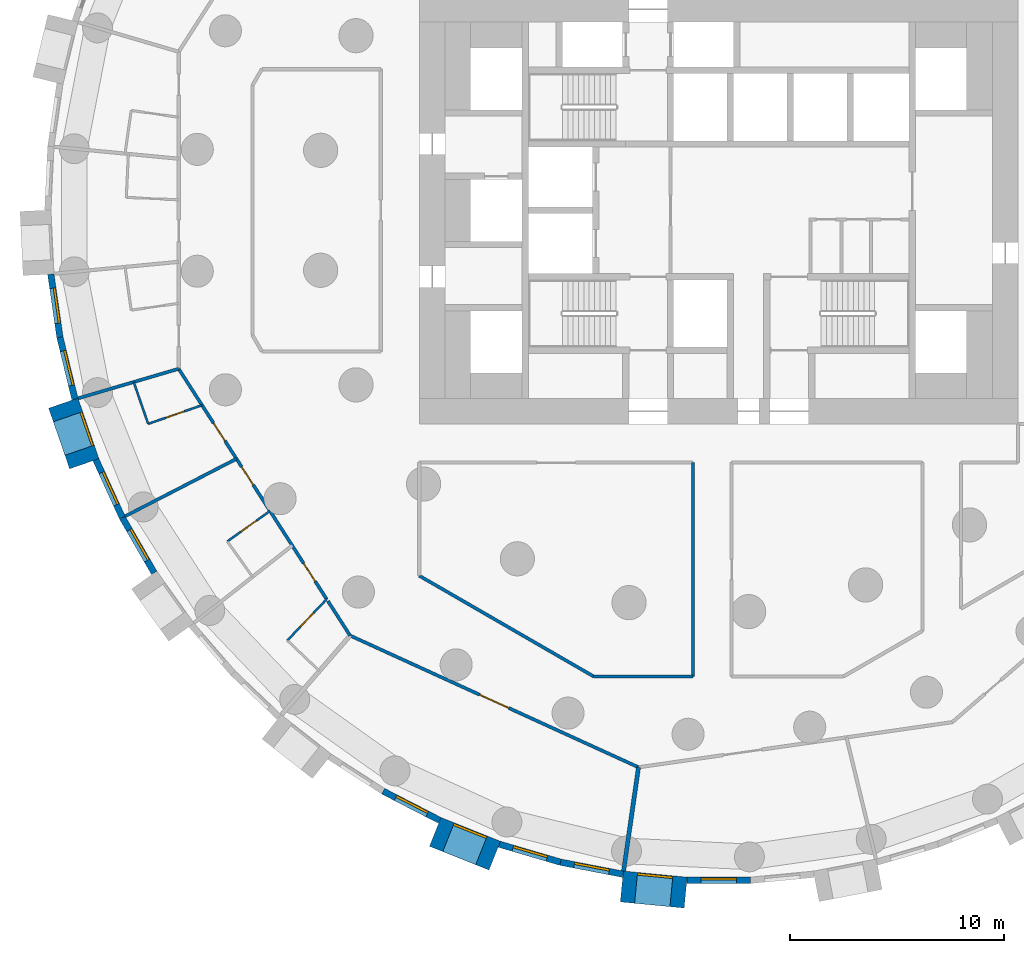
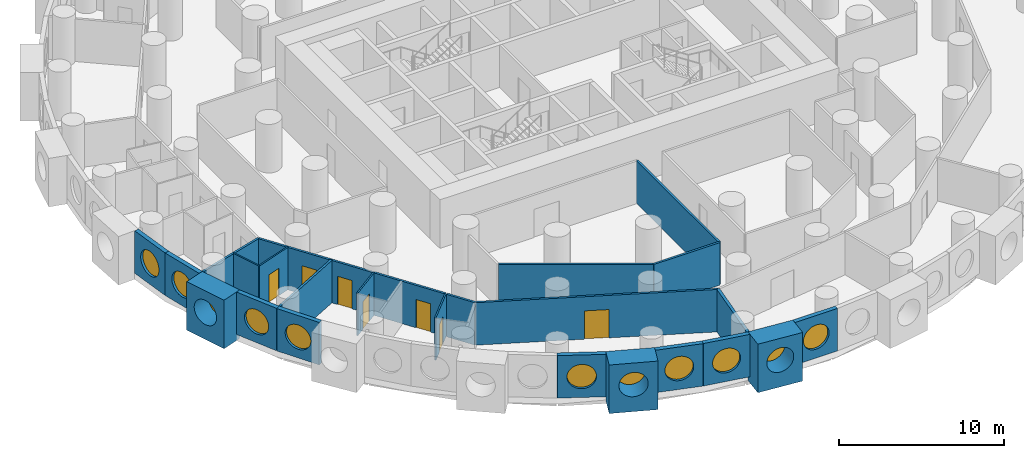
# One storey, part 3 of 12: 24 walls, 11 windows, 7 doors, 18 openings.
"""IFC4 building model written with IfcOpenShell, lengths in metres."""

from ifc_helpers import new_model, si_unit, direction, frame, frame_2d, origin, origin_2d, place, context, subcontext, project, spatial, rectangle, circle, extrude, material, layer, layer_set, type_object, element, fill, save


model = new_model("IFC4")

# Units and contexts
model_context = context("Model", 3, precision=1e-05, world=origin(), true_north=direction((0.0, 1.0)))
body_context = subcontext(model_context, "Body", "Model", "MODEL_VIEW")
ifc_project = project(units=[si_unit("LENGTHUNIT", "METRE"), si_unit("AREAUNIT", "SQUARE_METRE"), si_unit("VOLUMEUNIT", "CUBIC_METRE"), si_unit("PLANEANGLEUNIT", "RADIAN"), si_unit("MASSUNIT", "GRAM", prefix="KILO")], contexts=[model_context])

# Site, building, storey
site_placement = place(None, origin())
site = spatial("IfcSite", under=ifc_project, at=site_placement, CompositionType="ELEMENT")
building_placement = place(site_placement, origin())
building = spatial("IfcBuilding", under=site, at=building_placement, Name="Tracery Tower", CompositionType="ELEMENT")
storey_placement = place(building_placement, frame((0.0, 0.0, 31.800048828125)))
storey = spatial("IfcBuildingStorey", under=building, at=storey_placement, Name="L06", CompositionType="ELEMENT", Elevation=31.800048828125)

# Wall, opening, window
ifc_material_1 = material(Name="Precast concrete C50/60", Category="concrete")
ifc_layer_1 = layer(ifc_material_1, 1.449951171875)
ifc_layer_set_1 = layer_set([ifc_layer_1], Name="Deep-set bay unit 3000 x 3600, slab edge 450")
wall_type_1 = type_object("IfcWallType", Name="Deep-set bay unit 3000 x 3600, slab edge 450", PredefinedType="ELEMENTEDWALL", material=ifc_layer_set_1)
wall_1_placement = place(storey_placement, frame((-30.649169921875, -9.0205078125, -0.449951171875), z_axis=(0.0, 0.0, 1.0), x_axis=(0.327071431777, -0.944999618262, 0.0)))
wall_1 = element("IfcWall", 1, at=wall_1_placement, inside=storey, type_object=wall_type_1, Name="Deep-set bay unit 37 at L06", PredefinedType="ELEMENTEDWALL", context=body_context, shape_type="SweptSolid", body=[
    extrude(rectangle(XDim=3.0, YDim=1.449951171875, at=frame_2d((1.5, 0.0))), origin(), (0.0, 0.0, 1.0), 3.599853515625),
])
opening_1_placement = place(wall_1_placement, frame((1.5, 0.0, 2.0)))
opening_1 = element("IfcOpeningElement", 2, at=opening_1_placement, cuts=wall_1, Name="Opening WN1", PredefinedType="OPENING", context=body_context, shape_type="SweptSolid", body=[
    extrude(circle(Radius=0.9000244140625, at=origin_2d()), frame((0.0, 0.73486328125, 0.0), z_axis=(0.0, -1.0, 0.0), x_axis=(1.0, 0.0, 0.0)), (0.0, 0.0, 1.0), 1.469970703125),
])
ifc_material_2 = material(Name="Aluminium frame with tinted double glazing", Category="aluminium")
window_type = type_object("IfcWindowType", Name="Round window 1800", PartitioningType="SINGLE_PANEL", PredefinedType="WINDOW", material=ifc_material_2)
window_1_placement = place(opening_1_placement, origin())
window_1 = element("IfcWindow", 3, at=window_1_placement, inside=storey, type_object=window_type, Name="Round window 37 at L06", OverallHeight=1.800048828125, OverallWidth=1.800048828125, PartitioningType="SINGLE_PANEL", PredefinedType="WINDOW", context=body_context, shape_type="SweptSolid", body=[
    extrude(circle(Radius=0.9000244140625, at=origin_2d()), frame((0.0, 0.69482421875, 0.0), z_axis=(0.0, -1.0, 0.0), x_axis=(1.0, 0.0, 0.0)), (0.0, 0.0, 1.0), 0.10009765625),
])
fill(opening_1, window_1)

wall_2_placement = place(storey_placement, frame((-13.253662109375, -29.0703125, -0.449951171875), z_axis=(0.0, 0.0, 1.0), x_axis=(0.928358776184, -0.371685327504, 0.0)))
wall_2 = element("IfcWall", 4, at=wall_2_placement, inside=storey, type_object=wall_type_1, Name="Deep-set bay unit 46 at L06", PredefinedType="ELEMENTEDWALL", context=body_context, shape_type="SweptSolid", body=[
    extrude(rectangle(XDim=2.999755859375, YDim=1.449951171875, at=frame_2d((1.5, 0.0))), origin(), (0.0, 0.0, 1.0), 3.599853515625),
])
opening_2_placement = place(wall_2_placement, frame((1.5, 0.0, 2.0)))
opening_2 = element("IfcOpeningElement", 5, at=opening_2_placement, cuts=wall_2, Name="Opening WN1", PredefinedType="OPENING", context=body_context, shape_type="SweptSolid", body=[
    extrude(circle(Radius=0.9000244140625, at=origin_2d()), frame((0.0, 0.73486328125, 0.0), z_axis=(0.0, -1.0, 0.0), x_axis=(1.0, 0.0, 0.0)), (0.0, 0.0, 1.0), 1.469970703125),
])
window_2_placement = place(opening_2_placement, origin())
window_2 = element("IfcWindow", 6, at=window_2_placement, inside=storey, type_object=window_type, Name="Round window 46 at L06", OverallHeight=1.800048828125, OverallWidth=1.800048828125, PartitioningType="SINGLE_PANEL", PredefinedType="WINDOW", context=body_context, shape_type="SweptSolid", body=[
    extrude(circle(Radius=0.9000244140625, at=origin_2d()), frame((0.0, 0.69482421875, 0.0), z_axis=(0.0, -1.0, 0.0), x_axis=(1.0, 0.0, 0.0)), (0.0, 0.0, 1.0), 0.10009765625),
])
fill(opening_2, window_2)

wall_3_placement = place(storey_placement, frame((-4.52685546875, -31.626708984375, -0.449951171875), z_axis=(0.0, 0.0, 1.0), x_axis=(0.995472768558, -0.09504718333, 0.0)))
wall_3 = element("IfcWall", 7, at=wall_3_placement, inside=storey, type_object=wall_type_1, Name="Deep-set bay unit 49 at L06", PredefinedType="ELEMENTEDWALL", context=body_context, shape_type="SweptSolid", body=[
    extrude(rectangle(XDim=3.000244140625, YDim=1.449951171875, at=frame_2d((1.5, 0.0))), origin(), (0.0, 0.0, 1.0), 3.599853515625),
])
opening_3_placement = place(wall_3_placement, frame((1.5, 0.0, 2.0)))
opening_3 = element("IfcOpeningElement", 8, at=opening_3_placement, cuts=wall_3, Name="Opening WN1", PredefinedType="OPENING", context=body_context, shape_type="SweptSolid", body=[
    extrude(circle(Radius=0.9000244140625, at=origin_2d()), frame((0.0, 0.73486328125, 0.0), z_axis=(0.0, -1.0, 0.0), x_axis=(1.0, 0.0, 0.0)), (0.0, 0.0, 1.0), 1.469970703125),
])
window_3_placement = place(opening_3_placement, origin())
window_3 = element("IfcWindow", 9, at=window_3_placement, inside=storey, type_object=window_type, Name="Round window 49 at L06", OverallHeight=1.800048828125, OverallWidth=1.800048828125, PartitioningType="SINGLE_PANEL", PredefinedType="WINDOW", context=body_context, shape_type="SweptSolid", body=[
    extrude(circle(Radius=0.9000244140625, at=origin_2d()), frame((0.0, 0.69482421875, 0.0), z_axis=(0.0, -1.0, 0.0), x_axis=(1.0, 0.0, 0.0)), (0.0, 0.0, 1.0), 0.10009765625),
])
fill(opening_3, window_3)

ifc_material_3 = material(Name="Precast concrete C50/60", Category="concrete")
ifc_layer_2 = layer(ifc_material_3, 0.300048828125)
ifc_layer_set_2 = layer_set([ifc_layer_2], Name="Facade panel 3000 x 3150")
wall_type_2 = type_object("IfcWallType", Name="Facade panel 3000 x 3150", PredefinedType="SOLIDWALL", material=ifc_layer_set_2)
wall_4_placement = place(storey_placement, frame((-31.2314453125, -2.98828125, 0.0), z_axis=(0.0, 0.0, 1.0), x_axis=(0.142315996627, -0.989821275334, 0.0)))
wall_4 = element("IfcWall", 10, at=wall_4_placement, inside=storey, type_object=wall_type_2, Name="Facade panel 35 at L06", PredefinedType="SOLIDWALL", context=body_context, shape_type="SweptSolid", body=[
    extrude(rectangle(XDim=2.979736328125, YDim=0.300048828125, at=frame_2d((1.48974609375, 0.0))), origin(), (0.0, 0.0, 1.0), 3.14990234375),
])
opening_4_placement = place(wall_4_placement, frame((1.48974609375, 0.0, 1.5498046875)))
opening_4 = element("IfcOpeningElement", 11, at=opening_4_placement, cuts=wall_4, Name="Opening WN1", PredefinedType="OPENING", context=body_context, shape_type="SweptSolid", body=[
    extrude(circle(Radius=0.9000244140625, at=origin_2d()), frame((0.0, 0.159912109375, 0.0), z_axis=(0.0, -1.0, 0.0), x_axis=(1.0, 0.0, 0.0)), (0.0, 0.0, 1.0), 0.320068359375),
])
window_4_placement = place(opening_4_placement, origin())
window_4 = element("IfcWindow", 12, at=window_4_placement, inside=storey, type_object=window_type, Name="Round window 35 at L06", OverallHeight=1.800048828125, OverallWidth=1.800048828125, PartitioningType="SINGLE_PANEL", PredefinedType="WINDOW", context=body_context, shape_type="SweptSolid", body=[
    extrude(circle(Radius=0.9000244140625, at=origin_2d()), frame((0.0, 0.1201171875, 0.0), z_axis=(0.0, -1.0, 0.0), x_axis=(1.0, 0.0, 0.0)), (0.0, 0.0, 1.0), 0.10009765625),
])
fill(opening_4, window_4)

wall_5_placement = place(storey_placement, frame((-30.807373046875, -5.937744140625, 0.0), z_axis=(0.0, 0.0, 1.0), x_axis=(0.235743081534, -0.971815414319, 0.0)))
wall_5 = element("IfcWall", 13, at=wall_5_placement, inside=storey, type_object=wall_type_2, Name="Facade panel 36 at L06", PredefinedType="SOLIDWALL", context=body_context, shape_type="SweptSolid", body=[
    extrude(rectangle(XDim=2.9794921875, YDim=0.300048828125, at=frame_2d((1.48974609375, 0.0))), origin(), (0.0, 0.0, 1.0), 3.14990234375),
])
opening_5_placement = place(wall_5_placement, frame((1.48974609375, 0.0, 1.5498046875)))
opening_5 = element("IfcOpeningElement", 14, at=opening_5_placement, cuts=wall_5, Name="Opening WN1", PredefinedType="OPENING", context=body_context, shape_type="SweptSolid", body=[
    extrude(circle(Radius=0.9000244140625, at=origin_2d()), frame((0.0, 0.159912109375, 0.0), z_axis=(0.0, -1.0, 0.0), x_axis=(1.0, 0.0, 0.0)), (0.0, 0.0, 1.0), 0.320068359375),
])
window_5_placement = place(opening_5_placement, origin())
window_5 = element("IfcWindow", 15, at=window_5_placement, inside=storey, type_object=window_type, Name="Round window 36 at L06", OverallHeight=1.800048828125, OverallWidth=1.800048828125, PartitioningType="SINGLE_PANEL", PredefinedType="WINDOW", context=body_context, shape_type="SweptSolid", body=[
    extrude(circle(Radius=0.9000244140625, at=origin_2d()), frame((0.0, 0.1201171875, 0.0), z_axis=(0.0, -1.0, 0.0), x_axis=(1.0, 0.0, 0.0)), (0.0, 0.0, 1.0), 0.10009765625),
])
fill(opening_5, window_5)

wall_6_placement = place(storey_placement, frame((-29.12451171875, -11.666259765625, 0.0), z_axis=(0.0, 0.0, 1.0), x_axis=(0.415407317162, -0.909635509888, 0.0)))
wall_6 = element("IfcWall", 16, at=wall_6_placement, inside=storey, type_object=wall_type_2, Name="Facade panel 38 at L06", PredefinedType="SOLIDWALL", context=body_context, shape_type="SweptSolid", body=[
    extrude(rectangle(XDim=2.979736328125, YDim=0.300048828125, at=frame_2d((1.48974609375, 0.0))), origin(), (0.0, 0.0, 1.0), 3.14990234375),
])
opening_6_placement = place(wall_6_placement, frame((1.48974609375, 0.0, 1.5498046875)))
opening_6 = element("IfcOpeningElement", 17, at=opening_6_placement, cuts=wall_6, Name="Opening WN1", PredefinedType="OPENING", context=body_context, shape_type="SweptSolid", body=[
    extrude(circle(Radius=0.9000244140625, at=origin_2d()), frame((0.0, 0.159912109375, 0.0), z_axis=(0.0, -1.0, 0.0), x_axis=(1.0, 0.0, 0.0)), (0.0, 0.0, 1.0), 0.320068359375),
])
window_6_placement = place(opening_6_placement, origin())
window_6 = element("IfcWindow", 18, at=window_6_placement, inside=storey, type_object=window_type, Name="Round window 38 at L06", OverallHeight=1.800048828125, OverallWidth=1.800048828125, PartitioningType="SINGLE_PANEL", PredefinedType="WINDOW", context=body_context, shape_type="SweptSolid", body=[
    extrude(circle(Radius=0.9000244140625, at=origin_2d()), frame((0.0, 0.1201171875, 0.0), z_axis=(0.0, -1.0, 0.0), x_axis=(1.0, 0.0, 0.0)), (0.0, 0.0, 1.0), 0.10009765625),
])
fill(opening_6, window_6)

wall_7_placement = place(storey_placement, frame((-27.88671875, -14.376708984375, 0.0), z_axis=(0.0, 0.0, 1.0), x_axis=(0.499999078476, -0.866025935826, 0.0)))
wall_7 = element("IfcWall", 19, at=wall_7_placement, inside=storey, type_object=wall_type_2, Name="Facade panel 39 at L06", PredefinedType="SOLIDWALL", context=body_context, shape_type="SweptSolid", body=[
    extrude(rectangle(XDim=2.9794921875, YDim=0.300048828125, at=frame_2d((1.48974609375, 0.0))), origin(), (0.0, 0.0, 1.0), 3.14990234375),
])
opening_7_placement = place(wall_7_placement, frame((1.48974609375, 0.0, 1.5498046875)))
opening_7 = element("IfcOpeningElement", 20, at=opening_7_placement, cuts=wall_7, Name="Opening WN1", PredefinedType="OPENING", context=body_context, shape_type="SweptSolid", body=[
    extrude(circle(Radius=0.9000244140625, at=origin_2d()), frame((0.0, 0.159912109375, 0.0), z_axis=(0.0, -1.0, 0.0), x_axis=(1.0, 0.0, 0.0)), (0.0, 0.0, 1.0), 0.320068359375),
])
window_7_placement = place(opening_7_placement, origin())
window_7 = element("IfcWindow", 21, at=window_7_placement, inside=storey, type_object=window_type, Name="Round window 39 at L06", OverallHeight=1.800048828125, OverallWidth=1.800048828125, PartitioningType="SINGLE_PANEL", PredefinedType="WINDOW", context=body_context, shape_type="SweptSolid", body=[
    extrude(circle(Radius=0.9000244140625, at=origin_2d()), frame((0.0, 0.1201171875, 0.0), z_axis=(0.0, -1.0, 0.0), x_axis=(1.0, 0.0, 0.0)), (0.0, 0.0, 1.0), 0.10009765625),
])
fill(opening_7, window_7)

wall_8_placement = place(storey_placement, frame((-15.687255859375, -27.171142578125, 0.0), z_axis=(0.0, 0.0, 1.0), x_axis=(0.888853225096, -0.4581920386, 0.0)))
wall_8 = element("IfcWall", 22, at=wall_8_placement, inside=storey, type_object=wall_type_2, Name="Facade panel 45 at L06", PredefinedType="SOLIDWALL", context=body_context, shape_type="SweptSolid", body=[
    extrude(rectangle(XDim=2.9794921875, YDim=0.300048828125, at=frame_2d((1.48974609375, 0.0))), origin(), (0.0, 0.0, 1.0), 3.14990234375),
])
opening_8_placement = place(wall_8_placement, frame((1.48974609375, 0.0, 1.5498046875)))
opening_8 = element("IfcOpeningElement", 23, at=opening_8_placement, cuts=wall_8, Name="Opening WN1", PredefinedType="OPENING", context=body_context, shape_type="SweptSolid", body=[
    extrude(circle(Radius=0.9000244140625, at=origin_2d()), frame((0.0, 0.159912109375, 0.0), z_axis=(0.0, -1.0, 0.0), x_axis=(1.0, 0.0, 0.0)), (0.0, 0.0, 1.0), 0.320068359375),
])
window_8_placement = place(opening_8_placement, origin())
window_8 = element("IfcWindow", 24, at=window_8_placement, inside=storey, type_object=window_type, Name="Round window 45 at L06", OverallHeight=1.800048828125, OverallWidth=1.800048828125, PartitioningType="SINGLE_PANEL", PredefinedType="WINDOW", context=body_context, shape_type="SweptSolid", body=[
    extrude(circle(Radius=0.9000244140625, at=origin_2d()), frame((0.0, 0.1201171875, 0.0), z_axis=(0.0, -1.0, 0.0), x_axis=(1.0, 0.0, 0.0)), (0.0, 0.0, 1.0), 0.10009765625),
])
fill(opening_8, window_8)

wall_9_placement = place(storey_placement, frame((-10.255859375, -29.650634765625, 0.0), z_axis=(0.0, 0.0, 1.0), x_axis=(0.959507586834, -0.28168278401, 0.0)))
wall_9 = element("IfcWall", 25, at=wall_9_placement, inside=storey, type_object=wall_type_2, Name="Facade panel 47 at L06", PredefinedType="SOLIDWALL", context=body_context, shape_type="SweptSolid", body=[
    extrude(rectangle(XDim=2.979736328125, YDim=0.300048828125, at=frame_2d((1.48974609375, 0.0))), origin(), (0.0, 0.0, 1.0), 3.14990234375),
])
opening_9_placement = place(wall_9_placement, frame((1.48974609375, 0.0, 1.5498046875)))
opening_9 = element("IfcOpeningElement", 26, at=opening_9_placement, cuts=wall_9, Name="Opening WN1", PredefinedType="OPENING", context=body_context, shape_type="SweptSolid", body=[
    extrude(circle(Radius=0.9000244140625, at=origin_2d()), frame((0.0, 0.159912109375, 0.0), z_axis=(0.0, -1.0, 0.0), x_axis=(1.0, 0.0, 0.0)), (0.0, 0.0, 1.0), 0.320068359375),
])
window_9_placement = place(opening_9_placement, origin())
window_9 = element("IfcWindow", 27, at=window_9_placement, inside=storey, type_object=window_type, Name="Round window 47 at L06", OverallHeight=1.800048828125, OverallWidth=1.800048828125, PartitioningType="SINGLE_PANEL", PredefinedType="WINDOW", context=body_context, shape_type="SweptSolid", body=[
    extrude(circle(Radius=0.9000244140625, at=origin_2d()), frame((0.0, 0.1201171875, 0.0), z_axis=(0.0, -1.0, 0.0), x_axis=(1.0, 0.0, 0.0)), (0.0, 0.0, 1.0), 0.10009765625),
])
fill(opening_9, window_9)

wall_10_placement = place(storey_placement, frame((-7.396728515625, -30.489990234375, 0.0), z_axis=(0.0, 0.0, 1.0), x_axis=(0.981924535406, -0.189272836848, 0.0)))
wall_10 = element("IfcWall", 28, at=wall_10_placement, inside=storey, type_object=wall_type_2, Name="Facade panel 48 at L06", PredefinedType="SOLIDWALL", context=body_context, shape_type="SweptSolid", body=[
    extrude(rectangle(XDim=2.979736328125, YDim=0.300048828125, at=frame_2d((1.48974609375, 0.0))), origin(), (0.0, 0.0, 1.0), 3.14990234375),
])
opening_10_placement = place(wall_10_placement, frame((1.48974609375, 0.0, 1.5498046875)))
opening_10 = element("IfcOpeningElement", 29, at=opening_10_placement, cuts=wall_10, Name="Opening WN1", PredefinedType="OPENING", context=body_context, shape_type="SweptSolid", body=[
    extrude(circle(Radius=0.9000244140625, at=origin_2d()), frame((0.0, 0.159912109375, 0.0), z_axis=(0.0, -1.0, 0.0), x_axis=(1.0, 0.0, 0.0)), (0.0, 0.0, 1.0), 0.320068359375),
])
window_10_placement = place(opening_10_placement, origin())
window_10 = element("IfcWindow", 30, at=window_10_placement, inside=storey, type_object=window_type, Name="Round window 48 at L06", OverallHeight=1.800048828125, OverallWidth=1.800048828125, PartitioningType="SINGLE_PANEL", PredefinedType="WINDOW", context=body_context, shape_type="SweptSolid", body=[
    extrude(circle(Radius=0.9000244140625, at=origin_2d()), frame((0.0, 0.1201171875, 0.0), z_axis=(0.0, -1.0, 0.0), x_axis=(1.0, 0.0, 0.0)), (0.0, 0.0, 1.0), 0.10009765625),
])
fill(opening_10, window_10)

wall_11_placement = place(storey_placement, frame((-1.48681640625, -31.3388671875, 0.0), z_axis=(0.0, 0.0, 1.0), x_axis=(1.0, 0.0, 0.0)))
wall_11 = element("IfcWall", 31, at=wall_11_placement, inside=storey, type_object=wall_type_2, Name="Facade panel 50 at L06", PredefinedType="SOLIDWALL", context=body_context, shape_type="SweptSolid", body=[
    extrude(rectangle(XDim=2.979736328125, YDim=0.300048828125, at=frame_2d((1.48974609375, 0.0))), origin(), (0.0, 0.0, 1.0), 3.14990234375),
])
opening_11_placement = place(wall_11_placement, frame((1.48974609375, 0.0, 1.5498046875)))
opening_11 = element("IfcOpeningElement", 32, at=opening_11_placement, cuts=wall_11, Name="Opening WN1", PredefinedType="OPENING", context=body_context, shape_type="SweptSolid", body=[
    extrude(circle(Radius=0.9000244140625, at=origin_2d()), frame((0.0, 0.159912109375, 0.0), z_axis=(0.0, -1.0, 0.0), x_axis=(1.0, 0.0, 0.0)), (0.0, 0.0, 1.0), 0.320068359375),
])
window_11_placement = place(opening_11_placement, origin())
window_11 = element("IfcWindow", 33, at=window_11_placement, inside=storey, type_object=window_type, Name="Round window 50 at L06", OverallHeight=1.800048828125, OverallWidth=1.800048828125, PartitioningType="SINGLE_PANEL", PredefinedType="WINDOW", context=body_context, shape_type="SweptSolid", body=[
    extrude(circle(Radius=0.9000244140625, at=origin_2d()), frame((0.0, 0.1201171875, 0.0), z_axis=(0.0, -1.0, 0.0), x_axis=(1.0, 0.0, 0.0)), (0.0, 0.0, 1.0), 0.10009765625),
])
fill(opening_11, window_11)

# Wall
ifc_material_4 = material(Name="Plasterboard on steel studs", Category="steel")
ifc_layer_3 = layer(ifc_material_4, 0.10009765625)
ifc_layer_set_3 = layer_set([ifc_layer_3], Name="Partition 100 wet wall")
wall_type_3 = type_object("IfcWallType", Name="Partition 100 wet wall", PredefinedType="PARTITIONING", material=ifc_layer_set_3)
wall_12_placement = place(storey_placement, frame((-27.35595703125, -8.031982421875, 0.0), z_axis=(0.0, 0.0, 1.0), x_axis=(0.326924291943, -0.945050531632, 0.0)))
element("IfcWall", 34, at=wall_12_placement, inside=storey, type_object=wall_type_3, Name="Wet wall RA1-103", PredefinedType="PARTITIONING", context=body_context, shape_type="SweptSolid", body=[
    extrude(rectangle(XDim=2.07080078125, YDim=0.10009765625, at=frame_2d((1.035400390625, 0.0))), origin(), (0.0, 0.0, 1.0), 3.14990234375),
])

# Wall, opening, door
wall_13_placement = place(storey_placement, frame((-26.678955078125, -9.989013671875, 0.0), z_axis=(0.0, 0.0, 1.0), x_axis=(0.945014370431, 0.327028805578, 0.0)))
wall_13 = element("IfcWall", 35, at=wall_13_placement, inside=storey, type_object=wall_type_3, Name="Wet wall RA1-104", PredefinedType="PARTITIONING", context=body_context, shape_type="SweptSolid", body=[
    extrude(rectangle(XDim=2.666748046875, YDim=0.10009765625, at=frame_2d((1.33349609375, 0.0))), origin(), (0.0, 0.0, 1.0), 3.14990234375),
])
opening_12_placement = place(wall_13_placement, frame((0.883056640625, 0.0, 0.0)))
opening_12 = element("IfcOpeningElement", 36, at=opening_12_placement, cuts=wall_13, Name="Opening RA1-39", PredefinedType="OPENING", context=body_context, shape_type="SweptSolid", body=[
    extrude(rectangle(XDim=0.89990234375, YDim=2.0400390625, at=frame_2d((0.449951171875, 1.02001953125))), frame((0.0, 0.050048828125, 0.0), z_axis=(0.0, -1.0, 0.0), x_axis=(1.0, 0.0, 0.0)), (0.0, 0.0, 1.0), 0.10009765625),
])
ifc_material_5 = material(Name="Timber door leaf", Category="wood")
door_type_1 = type_object("IfcDoorType", Name="Door en-suite 900", OperationType="NOTDEFINED", PredefinedType="DOOR", material=ifc_material_5)
door_1_placement = place(opening_12_placement, origin())
door_1 = element("IfcDoor", 37, at=door_1_placement, inside=storey, type_object=door_type_1, Name="En-suite door RA1-39", OperationType="SINGLE_SWING_LEFT", OverallHeight=2.0400390625, OverallWidth=0.89990234375, PredefinedType="DOOR", context=body_context, shape_type="SweptSolid", body=[
    extrude(rectangle(XDim=0.89990234375, YDim=2.0400390625, at=frame_2d((0.449951171875, 1.02001953125))), frame((0.0, 0.02490234375, 0.0), z_axis=(0.0, -1.0, 0.0), x_axis=(1.0, 0.0, 0.0)), (0.0, 0.0, 1.0), 0.050048828125),
])
fill(opening_12, door_1)

wall_14_placement = place(storey_placement, frame((-22.97802734375, -15.486083984375, 0.0), z_axis=(0.0, 0.0, 1.0), x_axis=(0.814519517834, 0.580136152181, 0.0)))
wall_14 = element("IfcWall", 38, at=wall_14_placement, inside=storey, type_object=wall_type_3, Name="Wet wall RA1-106", PredefinedType="PARTITIONING", context=body_context, shape_type="SweptSolid", body=[
    extrude(rectangle(XDim=2.453125, YDim=0.10009765625, at=frame_2d((1.2265625, 0.0))), origin(), (0.0, 0.0, 1.0), 3.14990234375),
])
opening_13_placement = place(wall_14_placement, frame((0.77685546875, 0.0, 0.0)))
opening_13 = element("IfcOpeningElement", 39, at=opening_13_placement, cuts=wall_14, Name="Opening RA1-41", PredefinedType="OPENING", context=body_context, shape_type="SweptSolid", body=[
    extrude(rectangle(XDim=0.89990234375, YDim=2.0400390625, at=frame_2d((0.449951171875, 1.02001953125))), frame((0.0, 0.050048828125, 0.0), z_axis=(0.0, -1.0, 0.0), x_axis=(1.0, 0.0, 0.0)), (0.0, 0.0, 1.0), 0.10009765625),
])
door_2_placement = place(opening_13_placement, origin())
door_2 = element("IfcDoor", 40, at=door_2_placement, inside=storey, type_object=door_type_1, Name="En-suite door RA1-41", OperationType="SINGLE_SWING_LEFT", OverallHeight=2.0400390625, OverallWidth=0.89990234375, PredefinedType="DOOR", context=body_context, shape_type="SweptSolid", body=[
    extrude(rectangle(XDim=0.89990234375, YDim=2.0400390625, at=frame_2d((0.449951171875, 1.02001953125))), frame((0.0, 0.02490234375, 0.0), z_axis=(0.0, -1.0, 0.0), x_axis=(1.0, 0.0, 0.0)), (0.0, 0.0, 1.0), 0.050048828125),
])
fill(opening_13, door_2)

wall_15_placement = place(storey_placement, frame((-20.1689453125, -20.117919921875, 0.0), z_axis=(0.0, 0.0, 1.0), x_axis=(0.690011756227, 0.723798159896, 0.0)))
wall_15 = element("IfcWall", 41, at=wall_15_placement, inside=storey, type_object=wall_type_3, Name="Wet wall RA1-109", PredefinedType="PARTITIONING", context=body_context, shape_type="SweptSolid", body=[
    extrude(rectangle(XDim=2.66650390625, YDim=0.10009765625, at=frame_2d((1.333251953125, 0.0))), origin(), (0.0, 0.0, 1.0), 3.14990234375),
])
opening_14_placement = place(wall_15_placement, frame((0.883544921875, 0.0, 0.0)))
opening_14 = element("IfcOpeningElement", 42, at=opening_14_placement, cuts=wall_15, Name="Opening RA1-43", PredefinedType="OPENING", context=body_context, shape_type="SweptSolid", body=[
    extrude(rectangle(XDim=0.89990234375, YDim=2.0400390625, at=frame_2d((0.449951171875, 1.02001953125))), frame((0.0, 0.050048828125, 0.0), z_axis=(0.0, -1.0, 0.0), x_axis=(1.0, 0.0, 0.0)), (0.0, 0.0, 1.0), 0.10009765625),
])
door_3_placement = place(opening_14_placement, origin())
door_3 = element("IfcDoor", 43, at=door_3_placement, inside=storey, type_object=door_type_1, Name="En-suite door RA1-43", OperationType="SINGLE_SWING_LEFT", OverallHeight=2.0400390625, OverallWidth=0.89990234375, PredefinedType="DOOR", context=body_context, shape_type="SweptSolid", body=[
    extrude(rectangle(XDim=0.89990234375, YDim=2.0400390625, at=frame_2d((0.449951171875, 1.02001953125))), frame((0.0, 0.02490234375, 0.0), z_axis=(0.0, -1.0, 0.0), x_axis=(1.0, 0.0, 0.0)), (0.0, 0.0, 1.0), 0.050048828125),
])
fill(opening_14, door_3)

# Walls
ifc_material_6 = material(Name="Plasterboard on steel studs", Category="steel")
ifc_layer_4 = layer(ifc_material_6, 0.14990234375)
ifc_layer_set_4 = layer_set([ifc_layer_4], Name="Partition 150 acoustic unit wall")
wall_type_4 = type_object("IfcWallType", Name="Partition 150 acoustic unit wall", PredefinedType="PARTITIONING", material=ifc_layer_set_4)
wall_16_placement = place(storey_placement, frame((-29.958984375, -8.797119140625, 0.0), z_axis=(0.0, 0.0, 1.0), x_axis=(0.959434430266, 0.281931860598, 0.0)))
element("IfcWall", 44, at=wall_16_placement, inside=storey, type_object=wall_type_4, Name="Unit wall RA1-102", PredefinedType="PARTITIONING", context=body_context, shape_type="SweptSolid", body=[
    extrude(rectangle(XDim=4.90478515625, YDim=0.14990234375, at=frame_2d((2.452392578125, 0.0))), origin(), (0.0, 0.0, 1.0), 3.14990234375),
])
wall_17_placement = place(storey_placement, frame((-27.7529296875, -14.30810546875, 0.0), z_axis=(0.0, 0.0, 1.0), x_axis=(0.88877955153, 0.45833493079, 0.0)))
element("IfcWall", 45, at=wall_17_placement, inside=storey, type_object=wall_type_4, Name="Unit wall RA1-105", PredefinedType="PARTITIONING", context=body_context, shape_type="SweptSolid", body=[
    extrude(rectangle(XDim=5.856201171875, YDim=0.14990234375, at=frame_2d((2.92822265625, 0.0))), origin(), (0.0, 0.0, 1.0), 3.14990234375),
])

# Wall, openings, doors
ifc_material_7 = material(Name="Plasterboard on steel studs", Category="steel")
ifc_layer_5 = layer(ifc_material_7, 0.14990234375)
ifc_layer_set_5 = layer_set([ifc_layer_5], Name="Partition 150 corridor wall")
wall_type_5 = type_object("IfcWallType", Name="Partition 150 corridor wall", PredefinedType="PARTITIONING", material=ifc_layer_set_5)
wall_18_placement = place(storey_placement, frame((-25.252197265625, -7.41455078125, 0.0), z_axis=(0.0, 0.0, 1.0), x_axis=(0.540498462047, -0.84134500208, 0.0)))
wall_18 = element("IfcWall", 46, at=wall_18_placement, inside=storey, type_object=wall_type_5, Name="Corridor wall RA1-045", PredefinedType="PARTITIONING", context=body_context, shape_type="SweptSolid", body=[
    extrude(rectangle(XDim=12.810546875, YDim=0.14990234375, at=frame_2d((6.4052734375, 0.0))), origin(), (0.0, 0.0, 1.0), 3.14990234375),
])
opening_15_placement = place(wall_18_placement, frame((3.012939453125, 0.0, 0.0)))
opening_15 = element("IfcOpeningElement", 47, at=opening_15_placement, cuts=wall_18, Name="Opening RA1-40", PredefinedType="OPENING", context=body_context, shape_type="SweptSolid", body=[
    extrude(rectangle(XDim=1.0, YDim=2.10009765625, at=frame_2d((0.5, 1.050048828125))), frame((0.0, 0.074951171875, 0.0), z_axis=(0.0, -1.0, 0.0), x_axis=(1.0, 0.0, 0.0)), (0.0, 0.0, 1.0), 0.14990234375),
])
opening_16_placement = place(wall_18_placement, frame((5.452392578125, 0.0, 0.0)))
opening_16 = element("IfcOpeningElement", 48, at=opening_16_placement, cuts=wall_18, Name="Opening RA1-42", PredefinedType="OPENING", context=body_context, shape_type="SweptSolid", body=[
    extrude(rectangle(XDim=1.0, YDim=2.10009765625, at=frame_2d((0.5, 1.050048828125))), frame((0.0, 0.074951171875, 0.0), z_axis=(0.0, -1.0, 0.0), x_axis=(1.0, 0.0, 0.0)), (0.0, 0.0, 1.0), 0.14990234375),
])
opening_17_placement = place(wall_18_placement, frame((10.816650390625, 0.0, 0.0)))
opening_17 = element("IfcOpeningElement", 49, at=opening_17_placement, cuts=wall_18, Name="Opening RA1-44", PredefinedType="OPENING", context=body_context, shape_type="SweptSolid", body=[
    extrude(rectangle(XDim=1.0, YDim=2.10009765625, at=frame_2d((0.5, 1.050048828125))), frame((0.0, 0.074951171875, 0.0), z_axis=(0.0, -1.0, 0.0), x_axis=(1.0, 0.0, 0.0)), (0.0, 0.0, 1.0), 0.14990234375),
])
ifc_material_8 = material(Name="Timber door leaf", Category="wood")
door_type_2 = type_object("IfcDoorType", Name="Door unit entrance 1000", OperationType="NOTDEFINED", PredefinedType="DOOR", material=ifc_material_8)
door_4_placement = place(opening_15_placement, origin())
door_4 = element("IfcDoor", 50, at=door_4_placement, inside=storey, type_object=door_type_2, Name="Unit entrance door RA1-40", OperationType="SINGLE_SWING_LEFT", OverallHeight=2.10009765625, OverallWidth=1.0, PredefinedType="DOOR", context=body_context, shape_type="SweptSolid", body=[
    extrude(rectangle(XDim=1.0, YDim=2.10009765625, at=frame_2d((0.5, 1.050048828125))), frame((0.0, 0.02490234375, 0.0), z_axis=(0.0, -1.0, 0.0), x_axis=(1.0, 0.0, 0.0)), (0.0, 0.0, 1.0), 0.050048828125),
])
fill(opening_15, door_4)
door_5_placement = place(opening_16_placement, origin())
door_5 = element("IfcDoor", 51, at=door_5_placement, inside=storey, type_object=door_type_2, Name="Unit entrance door RA1-42", OperationType="SINGLE_SWING_RIGHT", OverallHeight=2.10009765625, OverallWidth=1.0, PredefinedType="DOOR", context=body_context, shape_type="SweptSolid", body=[
    extrude(rectangle(XDim=1.0, YDim=2.10009765625, at=frame_2d((0.5, 1.050048828125))), frame((0.0, 0.02490234375, 0.0), z_axis=(0.0, -1.0, 0.0), x_axis=(1.0, 0.0, 0.0)), (0.0, 0.0, 1.0), 0.050048828125),
])
fill(opening_16, door_5)
door_6_placement = place(opening_17_placement, origin())
door_6 = element("IfcDoor", 52, at=door_6_placement, inside=storey, type_object=door_type_2, Name="Unit entrance door RA1-44", OperationType="SINGLE_SWING_LEFT", OverallHeight=2.10009765625, OverallWidth=1.0, PredefinedType="DOOR", context=body_context, shape_type="SweptSolid", body=[
    extrude(rectangle(XDim=1.0, YDim=2.10009765625, at=frame_2d((0.5, 1.050048828125))), frame((0.0, 0.02490234375, 0.0), z_axis=(0.0, -1.0, 0.0), x_axis=(1.0, 0.0, 0.0)), (0.0, 0.0, 1.0), 0.050048828125),
])
fill(opening_17, door_6)

# Walls
wall_19_placement = place(storey_placement, frame((-14.0, -17.092041015625, 0.0), z_axis=(0.0, 0.0, 1.0), x_axis=(0.86602719091, -0.499996904595, 0.0)))
element("IfcWall", 53, at=wall_19_placement, inside=storey, type_object=wall_type_5, Name="Corridor wall RA1-046", PredefinedType="PARTITIONING", context=body_context, shape_type="SweptSolid", body=[
    extrude(rectangle(XDim=9.419921875, YDim=0.14990234375, at=frame_2d((4.7099609375, 0.0))), origin(), (0.0, 0.0, 1.0), 3.14990234375),
])
wall_20_placement = place(storey_placement, frame((-5.842041015625, -21.802001953125, 0.0), z_axis=(0.0, 0.0, 1.0), x_axis=(1.0, 0.0, 0.0)))
element("IfcWall", 54, at=wall_20_placement, inside=storey, type_object=wall_type_5, Name="Corridor wall RA1-047", PredefinedType="PARTITIONING", context=body_context, shape_type="SweptSolid", body=[
    extrude(rectangle(XDim=4.650146484375, YDim=0.14990234375, at=frame_2d((2.3251953125, 0.0))), origin(), (0.0, 0.0, 1.0), 3.14990234375),
])
wall_21_placement = place(storey_placement, frame((-1.19189453125, -21.802001953125, 0.0), z_axis=(0.0, 0.0, 1.0), x_axis=(0.0, 1.0, 0.0)))
element("IfcWall", 55, at=wall_21_placement, inside=storey, type_object=wall_type_5, Name="Corridor wall RA1-048", PredefinedType="PARTITIONING", context=body_context, shape_type="SweptSolid", body=[
    extrude(rectangle(XDim=10.001953125, YDim=0.14990234375, at=frame_2d((5.0009765625, 0.0))), origin(), (0.0, 0.0, 1.0), 3.14990234375),
])
wall_22_placement = place(storey_placement, frame((-18.27392578125, -18.27392578125, 0.0), z_axis=(0.0, 0.0, 1.0), x_axis=(0.540751168176, -0.841182604502, 0.0)))
element("IfcWall", 56, at=wall_22_placement, inside=storey, type_object=wall_type_5, Name="Corridor wall RA1-055", PredefinedType="PARTITIONING", context=body_context, shape_type="SweptSolid", body=[
    extrude(rectangle(XDim=1.921142578125, YDim=0.14990234375, at=frame_2d((0.96044921875, 0.0))), origin(), (0.0, 0.0, 1.0), 3.14990234375),
])

# Wall, opening, door
wall_23_placement = place(storey_placement, frame((-17.235107421875, -19.889892578125, 0.0), z_axis=(0.0, 0.0, 1.0), x_axis=(0.90960889055, -0.415465601743, 0.0)))
wall_23 = element("IfcWall", 57, at=wall_23_placement, inside=storey, type_object=wall_type_5, Name="Corridor wall RA1-056", PredefinedType="PARTITIONING", context=body_context, shape_type="SweptSolid", body=[
    extrude(rectangle(XDim=14.829345703125, YDim=0.14990234375, at=frame_2d((7.41455078125, 0.0))), origin(), (0.0, 0.0, 1.0), 3.14990234375),
])
opening_18_placement = place(wall_23_placement, frame((6.664306640625, 0.0, 0.0)))
opening_18 = element("IfcOpeningElement", 58, at=opening_18_placement, cuts=wall_23, Name="Opening RA1-45", PredefinedType="OPENING", context=body_context, shape_type="SweptSolid", body=[
    extrude(rectangle(XDim=1.5, YDim=2.10009765625, at=frame_2d((0.75, 1.050048828125))), frame((0.0, 0.074951171875, 0.0), z_axis=(0.0, -1.0, 0.0), x_axis=(1.0, 0.0, 0.0)), (0.0, 0.0, 1.0), 0.14990234375),
])
ifc_material_9 = material(Name="Timber door leaf", Category="wood")
door_type_3 = type_object("IfcDoorType", Name="Door double kitchen 1500", OperationType="NOTDEFINED", PredefinedType="DOOR", material=ifc_material_9)
door_7_placement = place(opening_18_placement, origin())
door_7 = element("IfcDoor", 59, at=door_7_placement, inside=storey, type_object=door_type_3, Name="Double kitchen door RA1-45", OperationType="DOUBLE_DOOR_SINGLE_SWING", OverallHeight=2.10009765625, OverallWidth=1.5, PredefinedType="DOOR", context=body_context, shape_type="SweptSolid", body=[
    extrude(rectangle(XDim=1.5, YDim=2.10009765625, at=frame_2d((0.75, 1.050048828125))), frame((0.0, 0.02490234375, 0.0), z_axis=(0.0, -1.0, 0.0), x_axis=(1.0, 0.0, 0.0)), (0.0, 0.0, 1.0), 0.050048828125),
])
fill(opening_18, door_7)

# Wall
ifc_material_10 = material(Name="Plasterboard on steel studs", Category="steel")
ifc_layer_6 = layer(ifc_material_10, 0.199951171875)
ifc_layer_set_6 = layer_set([ifc_layer_6], Name="Partition 200 compartment wall")
wall_type_6 = type_object("IfcWallType", Name="Partition 200 compartment wall", PredefinedType="PARTITIONING", material=ifc_layer_set_6)
wall_24_placement = place(storey_placement, frame((-4.444091796875, -30.906005859375, 0.0), z_axis=(0.0, 0.0, 1.0), x_axis=(0.142306296561, 0.989822669956, 0.0)))
element("IfcWall", 60, at=wall_24_placement, inside=storey, type_object=wall_type_6, Name="Compartment wall RA1-112", PredefinedType="PARTITIONING", context=body_context, shape_type="SweptSolid", body=[
    extrude(rectangle(XDim=4.90478515625, YDim=0.199951171875, at=frame_2d((2.452392578125, 0.0))), origin(), (0.0, 0.0, 1.0), 3.14990234375),
])

save(model, "model.ifc")
